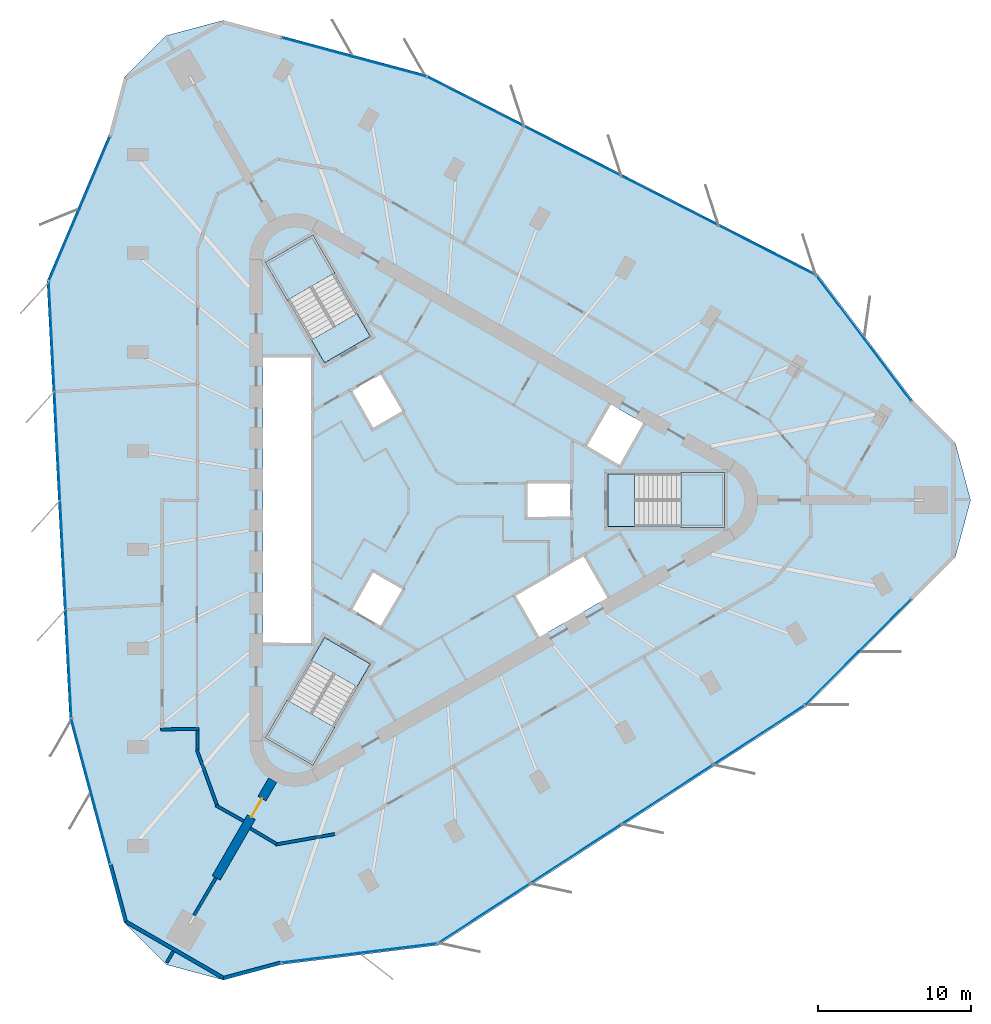
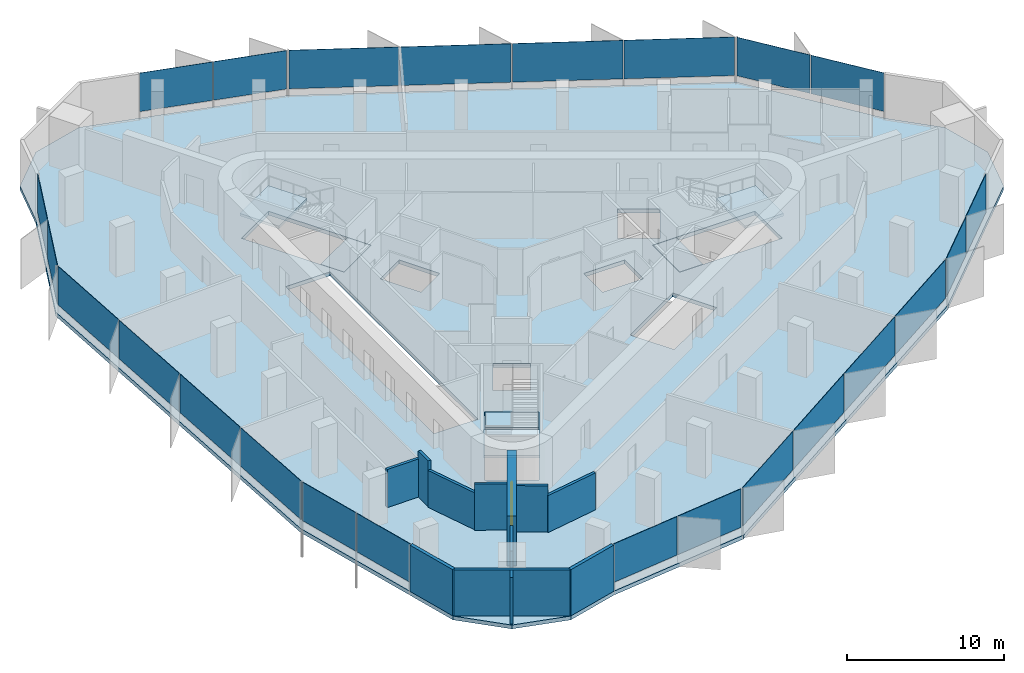
# One storey, part 6 of 12: 24 plates, 12 walls, 7 slabs, 1 door, 1 opening, 12 elements without a shape of their own.
"""IFC4 building model written with IfcOpenShell, lengths in metres."""

from ifc_helpers import new_model, si_unit, direction, frame, frame_2d, origin, origin_2d, place, context, subcontext, project, spatial, polyline, rectangle, outline, extrude, material, layer, layer_set, type_object, element, fill, aggregate, save


model = new_model("IFC4")

# Units and contexts
model_context = context("Model", 3, precision=1e-05, world=origin(), true_north=direction((0.0, 1.0)))
body_context = subcontext(model_context, "Body", "Model", "MODEL_VIEW")
ifc_project = project(units=[si_unit("LENGTHUNIT", "METRE"), si_unit("AREAUNIT", "SQUARE_METRE"), si_unit("VOLUMEUNIT", "CUBIC_METRE"), si_unit("PLANEANGLEUNIT", "RADIAN"), si_unit("MASSUNIT", "GRAM", prefix="KILO")], contexts=[model_context])

# Site, building, storey
site_placement = place(None, origin())
site = spatial("IfcSite", under=ifc_project, at=site_placement, CompositionType="ELEMENT")
building_placement = place(site_placement, origin())
building = spatial("IfcBuilding", under=site, at=building_placement, Name="Tanit Gate Tower", CompositionType="ELEMENT")
storey_placement = place(building_placement, frame((0.0, 0.0, 357.199951171875)))
storey = spatial("IfcBuildingStorey", under=building, at=storey_placement, Name="L81", CompositionType="ELEMENT", Elevation=357.199951171875)

# Slab
ifc_material_1 = material(Name="Concrete C35/45", Category="concrete")
ifc_layer_1 = layer(ifc_material_1, 0.300048828125)
ifc_layer_set_1 = layer_set([ifc_layer_1], Name="FLOOR SLAB 300 C35/45")
slab_type_1 = type_object("IfcSlabType", Name="FLOOR SLAB 300 C35/45", PredefinedType="FLOOR", material=ifc_layer_set_1)
slab_1_placement = place(storey_placement, frame((0.0, 0.0, -0.300048828125)))
element("IfcSlab", 1, at=slab_1_placement, inside=storey, type_object=slab_type_1, Name="FLOOR SLAB L81", PredefinedType="FLOOR", context=body_context, shape_type="SweptSolid", body=[
    extrude(outline(polyline([(31.331298828125, 6.5126953125), (34.083984375, 3.760009765625), (35.091552734375, 0.0), (34.083984375, -3.760009765625), (31.331298828125, -6.5126953125), (24.337890625, -13.501708984375), (0.267822265625, -29.116943359375), (-10.025390625, -30.39013671875), (-13.78564453125, -31.397705078125), (-17.545654296875, -30.39013671875), (-20.29833984375, -27.637451171875), (-21.305908203125, -23.87744140625), (-23.86181640625, -14.326416015625), (-25.349853515625, 14.326416015625), (-21.305908203125, 23.87744140625), (-20.29833984375, 27.637451171875), (-17.545654296875, 30.39013671875), (-13.78564453125, 31.397705078125), (-10.025390625, 30.39013671875), (-0.476318359375, 27.828125), (25.08203125, 14.790283203125), (31.331298828125, 6.5126953125)]), holes=[polyline([(11.3701171875, 1.72998046875), (18.929931640625, 1.72998046875), (18.929931640625, -1.72998046875), (11.3701171875, -1.72998046875), (11.3701171875, 1.72998046875)]), polyline([(12.158935546875, 2.159912109375), (9.82080078125, 3.510009765625), (11.44580078125, 6.324462890625), (13.783935546875, 4.974609375), (12.158935546875, 2.159912109375)]), polyline([(11.44580078125, -6.324462890625), (6.76904296875, -9.0244140625), (5.14404296875, -6.2099609375), (9.82080078125, -3.510009765625), (11.44580078125, -6.324462890625)]), polyline([(6.0, 1.199951171875), (9.0, 1.199951171875), (9.0, -1.199951171875), (6.0, -1.199951171875), (6.0, 1.199951171875)]), polyline([(-4.039306640625, 4.59619140625), (-5.539306640625, 7.194091796875), (-3.460693359375, 8.394287109375), (-1.960693359375, 5.796142578125), (-4.039306640625, 4.59619140625)]), polyline([(-1.960693359375, -5.796142578125), (-3.460693359375, -8.394287109375), (-5.539306640625, -7.194091796875), (-4.039306640625, -4.59619140625), (-1.960693359375, -5.796142578125)]), polyline([(-7.18310546875, 8.981689453125), (-10.963134765625, 15.52880859375), (-7.966796875, 17.2587890625), (-4.186767578125, 10.711669921875), (-7.18310546875, 8.981689453125)]), polyline([(-4.186767578125, -10.711669921875), (-7.966796875, -17.2587890625), (-10.963134765625, -15.52880859375), (-7.18310546875, -8.981689453125), (-4.186767578125, -10.711669921875)]), polyline([(-11.199951171875, -9.449951171875), (-11.199951171875, 9.449951171875), (-7.949951171875, 9.449951171875), (-7.949951171875, -9.449951171875), (-11.199951171875, -9.449951171875)])]), origin(), (0.0, 0.0, 1.0), 0.300048828125),
])

# Curtain wall, plates
ifc_material_2 = material(Name="Aluminium bronze anodised and glass", Category="aluminium")
curtain_wall_type = type_object("IfcCurtainWallType", Name="Curtain wall typical high", PredefinedType="NOTDEFINED", material=ifc_material_2)
curtain_wall_1_placement = place(storey_placement, origin())
curtain_wall_1 = element("IfcCurtainWall", 2, at=curtain_wall_1_placement, inside=storey, type_object=curtain_wall_type, Name="Curtain wall L81 NE1", PredefinedType="NOTDEFINED")
ifc_material_3 = material(Name="Glass tinted", Category="glass")
ifc_layer_2 = layer(ifc_material_3, 0.028076171875)
ifc_layer_set_2 = layer_set([ifc_layer_2], Name="Glass panel 28 typical high")
plate_type = type_object("IfcPlateType", Name="Glass panel 28 typical high", PredefinedType="CURTAIN_PANEL", material=ifc_layer_set_2)
plate_1_placement = place(storey_placement, frame((29.669189453125, 8.515380859375, 0.60009765625), z_axis=(0.0, 0.0, 1.0), x_axis=(-0.602530764365, 0.79809565717, 0.0)))
plate_1 = element("IfcPlate", 3, at=plate_1_placement, type_object=plate_type, Name="Glass panel L81 NE1.1", PredefinedType="CURTAIN_PANEL", context=body_context, shape_type="SweptSolid", body=[
    extrude(rectangle(XDim=5.056396484375, YDim=0.028076171875, at=origin_2d()), origin(), (0.0, 0.0, 1.0), 3.0),
])
plate_2_placement = place(storey_placement, frame((26.57421875, 12.614501953125, 0.60009765625), z_axis=(0.0, 0.0, 1.0), x_axis=(-0.602530764365, 0.79809565717, 0.0)))
plate_2 = element("IfcPlate", 4, at=plate_2_placement, type_object=plate_type, Name="Glass panel L81 NE1.2", PredefinedType="CURTAIN_PANEL", context=body_context, shape_type="SweptSolid", body=[
    extrude(rectangle(XDim=5.056396484375, YDim=0.028076171875, at=origin_2d()), origin(), (0.0, 0.0, 1.0), 3.0),
])
aggregate(curtain_wall_1, [plate_1, plate_2])

curtain_wall_2_placement = place(storey_placement, origin())
curtain_wall_2 = element("IfcCurtainWall", 5, at=curtain_wall_2_placement, inside=storey, type_object=curtain_wall_type, Name="Curtain wall L81 NE2", PredefinedType="NOTDEFINED")
plate_3_placement = place(storey_placement, frame((21.785888671875, 16.337158203125, 0.60009765625), z_axis=(0.0, 0.0, 1.0), x_axis=(-0.890792250432, 0.454410790552, 0.0)))
plate_3 = element("IfcPlate", 6, at=plate_3_placement, type_object=plate_type, Name="Glass panel L81 NE2.1", PredefinedType="CURTAIN_PANEL", context=body_context, shape_type="SweptSolid", body=[
    extrude(rectangle(XDim=7.062744140625, YDim=0.028076171875, at=origin_2d()), origin(), (0.0, 0.0, 1.0), 3.0),
])
plate_4_placement = place(storey_placement, frame((15.423095703125, 19.5830078125, 0.60009765625), z_axis=(0.0, 0.0, 1.0), x_axis=(-0.890792250432, 0.454410790552, 0.0)))
plate_4 = element("IfcPlate", 7, at=plate_4_placement, type_object=plate_type, Name="Glass panel L81 NE2.2", PredefinedType="CURTAIN_PANEL", context=body_context, shape_type="SweptSolid", body=[
    extrude(rectangle(XDim=7.062744140625, YDim=0.028076171875, at=origin_2d()), origin(), (0.0, 0.0, 1.0), 3.0),
])
plate_5_placement = place(storey_placement, frame((9.060302734375, 22.82861328125, 0.60009765625), z_axis=(0.0, 0.0, 1.0), x_axis=(-0.890792250432, 0.454410790552, 0.0)))
plate_5 = element("IfcPlate", 8, at=plate_5_placement, type_object=plate_type, Name="Glass panel L81 NE2.3", PredefinedType="CURTAIN_PANEL", context=body_context, shape_type="SweptSolid", body=[
    extrude(rectangle(XDim=7.062744140625, YDim=0.028076171875, at=origin_2d()), origin(), (0.0, 0.0, 1.0), 3.0),
])
plate_6_placement = place(storey_placement, frame((2.697509765625, 26.074462890625, 0.60009765625), z_axis=(0.0, 0.0, 1.0), x_axis=(-0.890792250432, 0.454410790552, 0.0)))
plate_6 = element("IfcPlate", 9, at=plate_6_placement, type_object=plate_type, Name="Glass panel L81 NE2.4", PredefinedType="CURTAIN_PANEL", context=body_context, shape_type="SweptSolid", body=[
    extrude(rectangle(XDim=7.062744140625, YDim=0.028076171875, at=origin_2d()), origin(), (0.0, 0.0, 1.0), 3.0),
])
aggregate(curtain_wall_2, [plate_3, plate_4, plate_5, plate_6])

curtain_wall_3_placement = place(storey_placement, origin())
curtain_wall_3 = element("IfcCurtainWall", 10, at=curtain_wall_3_placement, inside=storey, type_object=curtain_wall_type, Name="Curtain wall L81 NE3", PredefinedType="NOTDEFINED")
plate_7_placement = place(storey_placement, frame((-2.923095703125, 28.3603515625, 0.60009765625), z_axis=(0.0, 0.0, 1.0), x_axis=(-0.965844581241, 0.259122065613, 0.0)))
plate_7 = element("IfcPlate", 11, at=plate_7_placement, type_object=plate_type, Name="Glass panel L81 NE3.1", PredefinedType="CURTAIN_PANEL", context=body_context, shape_type="SweptSolid", body=[
    extrude(rectangle(XDim=4.817138671875, YDim=0.028076171875, at=origin_2d()), origin(), (0.0, 0.0, 1.0), 3.0),
])
plate_8_placement = place(storey_placement, frame((-7.653076171875, 29.62939453125, 0.60009765625), z_axis=(0.0, 0.0, 1.0), x_axis=(-0.965844581241, 0.259122065613, 0.0)))
plate_8 = element("IfcPlate", 12, at=plate_8_placement, type_object=plate_type, Name="Glass panel L81 NE3.2", PredefinedType="CURTAIN_PANEL", context=body_context, shape_type="SweptSolid", body=[
    extrude(rectangle(XDim=4.817138671875, YDim=0.028076171875, at=origin_2d()), origin(), (0.0, 0.0, 1.0), 3.0),
])
aggregate(curtain_wall_3, [plate_7, plate_8])

curtain_wall_4_placement = place(storey_placement, origin())
curtain_wall_4 = element("IfcCurtainWall", 13, at=curtain_wall_4_placement, inside=storey, type_object=curtain_wall_type, Name="Curtain wall L81 W1", PredefinedType="NOTDEFINED")
plate_9_placement = place(storey_placement, frame((-22.208984375, 21.4365234375, 0.60009765625), z_axis=(0.0, 0.0, 1.0), x_axis=(-0.389905731577, -0.920854777087, 0.0)))
plate_9 = element("IfcPlate", 14, at=plate_9_placement, type_object=plate_type, Name="Glass panel L81 W1.1", PredefinedType="CURTAIN_PANEL", context=body_context, shape_type="SweptSolid", body=[
    extrude(rectangle(XDim=5.056396484375, YDim=0.028076171875, at=origin_2d()), origin(), (0.0, 0.0, 1.0), 3.0),
])
plate_10_placement = place(storey_placement, frame((-24.211669921875, 16.706787109375, 0.60009765625), z_axis=(0.0, 0.0, 1.0), x_axis=(-0.389905731577, -0.920854777087, 0.0)))
plate_10 = element("IfcPlate", 15, at=plate_10_placement, type_object=plate_type, Name="Glass panel L81 W1.2", PredefinedType="CURTAIN_PANEL", context=body_context, shape_type="SweptSolid", body=[
    extrude(rectangle(XDim=5.056396484375, YDim=0.028076171875, at=origin_2d()), origin(), (0.0, 0.0, 1.0), 3.0),
])
aggregate(curtain_wall_4, [plate_9, plate_10])

curtain_wall_5_placement = place(storey_placement, origin())
curtain_wall_5 = element("IfcCurtainWall", 16, at=curtain_wall_5_placement, inside=storey, type_object=curtain_wall_type, Name="Curtain wall L81 W2", PredefinedType="NOTDEFINED")
plate_11_placement = place(storey_placement, frame((-25.041259765625, 10.698486328125, 0.60009765625), z_axis=(0.0, 0.0, 1.0), x_axis=(0.051864836844, -0.998654113645, 0.0)))
plate_11 = element("IfcPlate", 17, at=plate_11_placement, type_object=plate_type, Name="Glass panel L81 W2.1", PredefinedType="CURTAIN_PANEL", context=body_context, shape_type="SweptSolid", body=[
    extrude(rectangle(XDim=7.062744140625, YDim=0.028076171875, at=origin_2d()), origin(), (0.0, 0.0, 1.0), 3.0),
])
plate_12_placement = place(storey_placement, frame((-24.6708984375, 3.5654296875, 0.60009765625), z_axis=(0.0, 0.0, 1.0), x_axis=(0.051864836844, -0.998654113645, 0.0)))
plate_12 = element("IfcPlate", 18, at=plate_12_placement, type_object=plate_type, Name="Glass panel L81 W2.2", PredefinedType="CURTAIN_PANEL", context=body_context, shape_type="SweptSolid", body=[
    extrude(rectangle(XDim=7.062744140625, YDim=0.028076171875, at=origin_2d()), origin(), (0.0, 0.0, 1.0), 3.0),
])
plate_13_placement = place(storey_placement, frame((-24.30029296875, -3.56787109375, 0.60009765625), z_axis=(0.0, 0.0, 1.0), x_axis=(0.051864836844, -0.998654113645, 0.0)))
plate_13 = element("IfcPlate", 19, at=plate_13_placement, type_object=plate_type, Name="Glass panel L81 W2.3", PredefinedType="CURTAIN_PANEL", context=body_context, shape_type="SweptSolid", body=[
    extrude(rectangle(XDim=7.062744140625, YDim=0.028076171875, at=origin_2d()), origin(), (0.0, 0.0, 1.0), 3.0),
])
plate_14_placement = place(storey_placement, frame((-23.929931640625, -10.700927734375, 0.60009765625), z_axis=(0.0, 0.0, 1.0), x_axis=(0.051864836844, -0.998654113645, 0.0)))
plate_14 = element("IfcPlate", 20, at=plate_14_placement, type_object=plate_type, Name="Glass panel L81 W2.4", PredefinedType="CURTAIN_PANEL", context=body_context, shape_type="SweptSolid", body=[
    extrude(rectangle(XDim=7.062744140625, YDim=0.028076171875, at=origin_2d()), origin(), (0.0, 0.0, 1.0), 3.0),
])
aggregate(curtain_wall_5, [plate_11, plate_12, plate_13, plate_14])

curtain_wall_6_placement = place(storey_placement, origin())
curtain_wall_6 = element("IfcCurtainWall", 21, at=curtain_wall_6_placement, inside=storey, type_object=curtain_wall_type, Name="Curtain wall L81 W3", PredefinedType="NOTDEFINED")
plate_15_placement = place(storey_placement, frame((-23.099365234375, -16.711669921875, 0.60009765625), z_axis=(0.0, 0.0, 1.0), x_axis=(0.258515999119, -0.966006976269, 0.0)))
plate_15 = element("IfcPlate", 22, at=plate_15_placement, type_object=plate_type, Name="Glass panel L81 W3.1", PredefinedType="CURTAIN_PANEL", context=body_context, shape_type="SweptSolid", body=[
    extrude(rectangle(XDim=4.817138671875, YDim=0.028076171875, at=origin_2d()), origin(), (0.0, 0.0, 1.0), 3.0),
])
plate_16_placement = place(storey_placement, frame((-21.833251953125, -21.4423828125, 0.60009765625), z_axis=(0.0, 0.0, 1.0), x_axis=(0.258515999119, -0.966006976269, 0.0)))
plate_16 = element("IfcPlate", 23, at=plate_16_placement, type_object=plate_type, Name="Glass panel L81 W3.2", PredefinedType="CURTAIN_PANEL", context=body_context, shape_type="SweptSolid", body=[
    extrude(rectangle(XDim=4.817138671875, YDim=0.028076171875, at=origin_2d()), origin(), (0.0, 0.0, 1.0), 3.0),
])
aggregate(curtain_wall_6, [plate_15, plate_16])

curtain_wall_7_placement = place(storey_placement, origin())
curtain_wall_7 = element("IfcCurtainWall", 24, at=curtain_wall_7_placement, inside=storey, type_object=curtain_wall_type, Name="Curtain wall L81 SE1", PredefinedType="NOTDEFINED")
plate_17_placement = place(storey_placement, frame((-7.460205078125, -29.951904296875, 0.60009765625), z_axis=(0.0, 0.0, 1.0), x_axis=(0.992436495942, 0.122759119916, 0.0)))
plate_17 = element("IfcPlate", 25, at=plate_17_placement, type_object=plate_type, Name="Glass panel L81 SE1.1", PredefinedType="CURTAIN_PANEL", context=body_context, shape_type="SweptSolid", body=[
    extrude(rectangle(XDim=5.056396484375, YDim=0.028076171875, at=origin_2d()), origin(), (0.0, 0.0, 1.0), 3.0),
])
plate_18_placement = place(storey_placement, frame((-2.362548828125, -29.3212890625, 0.60009765625), z_axis=(0.0, 0.0, 1.0), x_axis=(0.992436495942, 0.122759119916, 0.0)))
plate_18 = element("IfcPlate", 26, at=plate_18_placement, type_object=plate_type, Name="Glass panel L81 SE1.2", PredefinedType="CURTAIN_PANEL", context=body_context, shape_type="SweptSolid", body=[
    extrude(rectangle(XDim=5.056396484375, YDim=0.028076171875, at=origin_2d()), origin(), (0.0, 0.0, 1.0), 3.0),
])
aggregate(curtain_wall_7, [plate_17, plate_18])

curtain_wall_8_placement = place(storey_placement, origin())
curtain_wall_8 = element("IfcCurtainWall", 27, at=curtain_wall_8_placement, inside=storey, type_object=curtain_wall_type, Name="Curtain wall L81 SE2", PredefinedType="NOTDEFINED")
plate_19_placement = place(storey_placement, frame((3.25537109375, -27.03564453125, 0.60009765625), z_axis=(0.0, 0.0, 1.0), x_axis=(0.838927413588, 0.544243323092, 0.0)))
plate_19 = element("IfcPlate", 28, at=plate_19_placement, type_object=plate_type, Name="Glass panel L81 SE2.1", PredefinedType="CURTAIN_PANEL", context=body_context, shape_type="SweptSolid", body=[
    extrude(rectangle(XDim=7.062744140625, YDim=0.028076171875, at=origin_2d()), origin(), (0.0, 0.0, 1.0), 3.0),
])
plate_20_placement = place(storey_placement, frame((9.247802734375, -23.148193359375, 0.60009765625), z_axis=(0.0, 0.0, 1.0), x_axis=(0.838927413588, 0.544243323092, 0.0)))
plate_20 = element("IfcPlate", 29, at=plate_20_placement, type_object=plate_type, Name="Glass panel L81 SE2.2", PredefinedType="CURTAIN_PANEL", context=body_context, shape_type="SweptSolid", body=[
    extrude(rectangle(XDim=7.062744140625, YDim=0.028076171875, at=origin_2d()), origin(), (0.0, 0.0, 1.0), 3.0),
])
plate_21_placement = place(storey_placement, frame((15.239990234375, -19.2607421875, 0.60009765625), z_axis=(0.0, 0.0, 1.0), x_axis=(0.838927413588, 0.544243323092, 0.0)))
plate_21 = element("IfcPlate", 30, at=plate_21_placement, type_object=plate_type, Name="Glass panel L81 SE2.3", PredefinedType="CURTAIN_PANEL", context=body_context, shape_type="SweptSolid", body=[
    extrude(rectangle(XDim=7.062744140625, YDim=0.028076171875, at=origin_2d()), origin(), (0.0, 0.0, 1.0), 3.0),
])
plate_22_placement = place(storey_placement, frame((21.232421875, -15.373291015625, 0.60009765625), z_axis=(0.0, 0.0, 1.0), x_axis=(0.838927413588, 0.544243323092, 0.0)))
plate_22 = element("IfcPlate", 31, at=plate_22_placement, type_object=plate_type, Name="Glass panel L81 SE2.4", PredefinedType="CURTAIN_PANEL", context=body_context, shape_type="SweptSolid", body=[
    extrude(rectangle(XDim=7.062744140625, YDim=0.028076171875, at=origin_2d()), origin(), (0.0, 0.0, 1.0), 3.0),
])
aggregate(curtain_wall_8, [plate_19, plate_20, plate_21, plate_22])

curtain_wall_9_placement = place(storey_placement, origin())
curtain_wall_9 = element("IfcCurtainWall", 32, at=curtain_wall_9_placement, inside=storey, type_object=curtain_wall_type, Name="Curtain wall L81 SE3", PredefinedType="NOTDEFINED")
plate_23_placement = place(storey_placement, frame((26.022216796875, -11.648681640625, 0.60009765625), z_axis=(0.0, 0.0, 1.0), x_axis=(0.707328582122, 0.706884910656, 0.0)))
plate_23 = element("IfcPlate", 33, at=plate_23_placement, type_object=plate_type, Name="Glass panel L81 SE3.1", PredefinedType="CURTAIN_PANEL", context=body_context, shape_type="SweptSolid", body=[
    extrude(rectangle(XDim=4.817138671875, YDim=0.028076171875, at=origin_2d()), origin(), (0.0, 0.0, 1.0), 3.0),
])
plate_24_placement = place(storey_placement, frame((29.486328125, -8.18701171875, 0.60009765625), z_axis=(0.0, 0.0, 1.0), x_axis=(0.707328582122, 0.706884910656, 0.0)))
plate_24 = element("IfcPlate", 34, at=plate_24_placement, type_object=plate_type, Name="Glass panel L81 SE3.2", PredefinedType="CURTAIN_PANEL", context=body_context, shape_type="SweptSolid", body=[
    extrude(rectangle(XDim=4.817138671875, YDim=0.028076171875, at=origin_2d()), origin(), (0.0, 0.0, 1.0), 3.0),
])
aggregate(curtain_wall_9, [plate_23, plate_24])

# Stair, slab
ifc_material_4 = material(Name="Concrete C40/50", Category="concrete")
stair_type = type_object("IfcStairType", Name="INT-STAIR-EXIT", PredefinedType="HALF_TURN_STAIR", material=ifc_material_4)
stair_1_placement = place(storey_placement, origin())
stair_1 = element("IfcStair", 35, at=stair_1_placement, inside=storey, type_object=stair_type, Name="L81 STAIR S1", PredefinedType="HALF_TURN_STAIR")
ifc_material_5 = material(Name="Concrete C40/50", Category="concrete")
ifc_layer_3 = layer(ifc_material_5, 0.199951171875)
ifc_layer_set_3 = layer_set([ifc_layer_3], Name="INT-STAIR-LANDING")
slab_type_2 = type_object("IfcSlabType", Name="INT-STAIR-LANDING", PredefinedType="LANDING", material=ifc_layer_set_3)
slab_2_placement = place(storey_placement, frame((0.0, 0.0, 1.75)))
slab_2 = element("IfcSlab", 36, at=slab_2_placement, type_object=slab_type_2, Name="S1 landing 1", PredefinedType="LANDING", context=body_context, shape_type="SweptSolid", body=[
    extrude(outline(polyline([(16.135986328125, -1.800048828125), (19.0, -1.800048828125), (19.0, 1.800048828125), (16.135986328125, 1.800048828125), (16.135986328125, -1.800048828125)])), origin(), (0.0, 0.0, 1.0), 0.199951171875),
])
aggregate(stair_1, [slab_2])

# Slab
slab_3_placement = place(storey_placement, frame((0.0, 0.0, -0.199951171875)))
element("IfcSlab", 37, at=slab_3_placement, inside=storey, type_object=slab_type_2, Name="S1 floor landing", PredefinedType="LANDING", context=body_context, shape_type="SweptSolid", body=[
    extrude(outline(polyline([(11.3798828125, -1.719970703125), (13.10498046875, -1.719970703125), (13.10498046875, 1.719970703125), (11.3798828125, 1.719970703125), (11.3798828125, -1.719970703125)])), origin(), (0.0, 0.0, 1.0), 0.199951171875),
])

# Stair, slab
stair_2_placement = place(storey_placement, origin())
stair_2 = element("IfcStair", 38, at=stair_2_placement, inside=storey, type_object=stair_type, Name="L81 STAIR S2", PredefinedType="HALF_TURN_STAIR")
slab_4_placement = place(storey_placement, frame((0.0, 0.0, 1.75)))
slab_4 = element("IfcSlab", 39, at=slab_4_placement, type_object=slab_type_2, Name="S2 landing 1", PredefinedType="LANDING", context=body_context, shape_type="SweptSolid", body=[
    extrude(outline(polyline([(-6.5078125, 14.871826171875), (-7.941162109375, 17.3544921875), (-11.058837890625, 15.554443359375), (-9.62548828125, 13.07177734375), (-6.5078125, 14.871826171875)])), origin(), (0.0, 0.0, 1.0), 0.199951171875),
])
aggregate(stair_2, [slab_4])

# Slab
slab_5_placement = place(storey_placement, frame((0.0, 0.0, -0.199951171875)))
element("IfcSlab", 40, at=slab_5_placement, inside=storey, type_object=slab_type_2, Name="S2 floor landing", PredefinedType="LANDING", context=body_context, shape_type="SweptSolid", body=[
    extrude(outline(polyline([(-4.200439453125, 10.71533203125), (-5.0625, 12.20849609375), (-8.04150390625, 10.48828125), (-7.179443359375, 8.995361328125), (-4.200439453125, 10.71533203125)])), origin(), (0.0, 0.0, 1.0), 0.199951171875),
])

# Stair, slab
stair_3_placement = place(storey_placement, origin())
stair_3 = element("IfcStair", 41, at=stair_3_placement, inside=storey, type_object=stair_type, Name="L81 STAIR S3", PredefinedType="HALF_TURN_STAIR")
slab_6_placement = place(storey_placement, frame((0.0, 0.0, 1.75)))
slab_6 = element("IfcSlab", 42, at=slab_6_placement, type_object=slab_type_2, Name="S3 landing 1", PredefinedType="LANDING", context=body_context, shape_type="SweptSolid", body=[
    extrude(outline(polyline([(-9.626953125, -13.07421875), (-11.058837890625, -15.554443359375), (-7.941162109375, -17.3544921875), (-6.509033203125, -14.874267578125), (-9.626953125, -13.07421875)])), origin(), (0.0, 0.0, 1.0), 0.199951171875),
])
aggregate(stair_3, [slab_6])

# Slab
slab_7_placement = place(storey_placement, frame((0.0, 0.0, -0.199951171875)))
element("IfcSlab", 43, at=slab_7_placement, inside=storey, type_object=slab_type_2, Name="S3 floor landing", PredefinedType="LANDING", context=body_context, shape_type="SweptSolid", body=[
    extrude(outline(polyline([(-7.179443359375, -8.995361328125), (-8.0419921875, -10.4892578125), (-5.06298828125, -12.209228515625), (-4.200439453125, -10.71533203125), (-7.179443359375, -8.995361328125)])), origin(), (0.0, 0.0, 1.0), 0.199951171875),
])

# Wall, opening, door
ifc_material_6 = material(Name="Concrete C40/50", Category="concrete")
ifc_layer_4 = layer(ifc_material_6, 0.60009765625)
ifc_layer_set_4 = layer_set([ifc_layer_4], Name="BUTTRESS FIN 600 C40/50")
wall_type_1 = type_object("IfcWallType", Name="BUTTRESS FIN 600 C40/50", PredefinedType="SHEAR", material=ifc_layer_set_4)
wall_1_placement = place(storey_placement, frame((-10.574951171875, -18.31640625, 0.0), z_axis=(0.0, 0.0, 1.0), x_axis=(-0.500009454961, -0.866019944892, 0.0)))
wall_1 = element("IfcWall", 44, at=wall_1_placement, inside=storey, type_object=wall_type_1, Name="BUTTRESS FIN", PredefinedType="SHEAR", context=body_context, shape_type="SweptSolid", body=[
    extrude(rectangle(XDim=7.387939453125, YDim=0.60009765625, at=frame_2d((3.69384765625, 0.0))), origin(), (0.0, 0.0, 1.0), 3.900146484375),
])
opening_placement = place(wall_1_placement, frame((1.39990234375, 0.0, 0.0)))
opening = element("IfcOpeningElement", 45, at=opening_placement, cuts=wall_1, Name="Opening P14-S23-F-SW-1", PredefinedType="OPENING", context=body_context, shape_type="SweptSolid", body=[
    extrude(rectangle(XDim=1.39990234375, YDim=2.39990234375, at=frame_2d((0.699951171875, 1.199951171875))), frame((0.0, 0.31005859375, 0.0), z_axis=(0.0, -1.0, 0.0), x_axis=(1.0, 0.0, 0.0)), (0.0, 0.0, 1.0), 0.6201171875),
])
ifc_material_7 = material(Name="Timber door leaf", Category="wood")
door_type = type_object("IfcDoorType", Name="INT-DOOR-FIN-PAIR-1400", OperationType="NOTDEFINED", PredefinedType="NOTDEFINED", material=ifc_material_7)
door_placement = place(opening_placement, origin())
door = element("IfcDoor", 46, at=door_placement, inside=storey, type_object=door_type, Name="Door P14-S23-F-SW-1", OperationType="DOUBLE_DOOR_SINGLE_SWING", OverallHeight=2.39990234375, OverallWidth=1.39990234375, PredefinedType="NOTDEFINED", context=body_context, shape_type="SweptSolid", body=[
    extrude(rectangle(XDim=1.39990234375, YDim=2.39990234375, at=frame_2d((0.699951171875, 1.199951171875))), frame((0.0, 0.02490234375, 0.0), z_axis=(0.0, -1.0, 0.0), x_axis=(1.0, 0.0, 0.0)), (0.0, 0.0, 1.0), 0.050048828125),
])
fill(opening, door)

# Walls
ifc_material_8 = material(Name="Concrete C30/37 with bronze anodised aluminium cladding", Category="concrete")
ifc_layer_5 = layer(ifc_material_8, 0.239990234375)
ifc_layer_set_5 = layer_set([ifc_layer_5], Name="Facade wall bronze clad 240")
wall_type_2 = type_object("IfcWallType", Name="Facade wall bronze clad 240", PredefinedType="SOLIDWALL", material=ifc_layer_set_5)
wall_2_placement = place(storey_placement, frame((-21.18994140625, -23.846435546875, 0.0), z_axis=(0.0, 0.0, 1.0), x_axis=(0.258839344225, -0.965920386927, 0.0)))
element("IfcWall", 47, at=wall_2_placement, inside=storey, type_object=wall_type_2, Name="Bronze-clad facade wall L81 SW.arc1", PredefinedType="SOLIDWALL", context=body_context, shape_type="SweptSolid", body=[
    extrude(rectangle(XDim=3.860595703125, YDim=0.239990234375, at=frame_2d((1.93017578125, 0.0))), origin(), (0.0, 0.0, 1.0), 3.60009765625),
])
wall_3_placement = place(storey_placement, frame((-20.190673828125, -27.575439453125, 0.0), z_axis=(0.0, 0.0, 1.0), x_axis=(0.866022320763, -0.500005339912, 0.0)))
element("IfcWall", 48, at=wall_3_placement, inside=storey, type_object=wall_type_2, Name="Bronze-clad facade wall L81 SW.arc2", PredefinedType="SOLIDWALL", context=body_context, shape_type="SweptSolid", body=[
    extrude(rectangle(XDim=7.39599609375, YDim=0.239990234375, at=frame_2d((3.697998046875, 0.0))), origin(), (0.0, 0.0, 1.0), 3.60009765625),
])
wall_4_placement = place(storey_placement, frame((-13.78564453125, -31.2734375, 0.0), z_axis=(0.0, 0.0, 1.0), x_axis=(0.965917910961, 0.258848583704, 0.0)))
element("IfcWall", 49, at=wall_4_placement, inside=storey, type_object=wall_type_2, Name="Bronze-clad facade wall L81 SW.arc3", PredefinedType="SOLIDWALL", context=body_context, shape_type="SweptSolid", body=[
    extrude(rectangle(XDim=3.868896484375, YDim=0.239990234375, at=frame_2d((1.9345703125, 0.0))), origin(), (0.0, 0.0, 1.0), 3.60009765625),
])
ifc_material_9 = material(Name="Fire-rated gypsum board partition")
ifc_layer_6 = layer(ifc_material_9, 0.199951171875)
ifc_layer_set_6 = layer_set([ifc_layer_6], Name="INT-WALL-COMPARTMENT")
wall_type_3 = type_object("IfcWallType", Name="INT-WALL-COMPARTMENT", PredefinedType="PARTITIONING", material=ifc_layer_set_6)
wall_5_placement = place(storey_placement, frame((-17.89990234375, -15.001220703125, 0.0), z_axis=(0.0, 0.0, 1.0), x_axis=(0.999915662945, 0.012987185857, 0.0)))
element("IfcWall", 50, at=wall_5_placement, inside=storey, type_object=wall_type_3, Name="Wall Compartment W084", PredefinedType="PARTITIONING", context=body_context, shape_type="SweptSolid", body=[
    extrude(rectangle(XDim=2.500244140625, YDim=0.199951171875, at=frame_2d((1.25, 0.0))), origin(), (0.0, 0.0, 1.0), 2.969970703125),
])
wall_6_placement = place(storey_placement, frame((-14.293212890625, -19.9775390625, 0.0), z_axis=(0.0, 0.0, 1.0), x_axis=(0.872510000486, -0.48859625362, 0.0)))
element("IfcWall", 51, at=wall_6_placement, inside=storey, type_object=wall_type_3, Name="Wall Compartment W088", PredefinedType="PARTITIONING", context=body_context, shape_type="SweptSolid", body=[
    extrude(rectangle(XDim=2.089599609375, YDim=0.199951171875, at=frame_2d((1.044921875, 0.0))), origin(), (0.0, 0.0, 1.0), 3.60009765625),
])
wall_7_placement = place(storey_placement, frame((-15.5341796875, -16.346435546875, 0.0), z_axis=(0.0, 0.0, 1.0), x_axis=(0.342001008711, -0.939699584996, 0.0)))
element("IfcWall", 52, at=wall_7_placement, inside=storey, type_object=wall_type_3, Name="Wall Compartment W089", PredefinedType="PARTITIONING", context=body_context, shape_type="SweptSolid", body=[
    extrude(rectangle(XDim=3.87548828125, YDim=0.199951171875, at=frame_2d((1.937744140625, 0.0))), origin(), (0.0, 0.0, 1.0), 2.880126953125),
])
wall_8_placement = place(storey_placement, frame((-15.5, -15.070068359375, 0.0), z_axis=(0.0, 0.0, 1.0), x_axis=(0.0, -1.0, 0.0)))
element("IfcWall", 53, at=wall_8_placement, inside=storey, type_object=wall_type_3, Name="Wall Compartment W090", PredefinedType="PARTITIONING", context=body_context, shape_type="SweptSolid", body=[
    extrude(rectangle(XDim=1.2705078125, YDim=0.199951171875, at=frame_2d((0.63525390625, 0.0))), origin(), (0.0, 0.0, 1.0), 3.60009765625),
])
wall_9_placement = place(storey_placement, frame((-10.405517578125, -22.53759765625, 0.0), z_axis=(0.0, 0.0, 1.0), x_axis=(0.98480284819, 0.173675991999, 0.0)))
element("IfcWall", 54, at=wall_9_placement, inside=storey, type_object=wall_type_3, Name="Wall Compartment W108", PredefinedType="PARTITIONING", context=body_context, shape_type="SweptSolid", body=[
    extrude(rectangle(XDim=3.94873046875, YDim=0.199951171875, at=frame_2d((1.974365234375, 0.0))), origin(), (0.0, 0.0, 1.0), 2.880126953125),
])
wall_10_placement = place(storey_placement, frame((-12.05029296875, -21.4716796875, 0.0), z_axis=(0.0, 0.0, 1.0), x_axis=(0.859577966481, -0.511004617924, 0.0)))
element("IfcWall", 55, at=wall_10_placement, inside=storey, type_object=wall_type_3, Name="Wall Compartment W109", PredefinedType="PARTITIONING", context=body_context, shape_type="SweptSolid", body=[
    extrude(rectangle(XDim=1.99755859375, YDim=0.199951171875, at=frame_2d((0.998779296875, 0.0))), origin(), (0.0, 0.0, 1.0), 3.60009765625),
])
wall_11_placement = place(storey_placement, frame((-17.07421875, -29.513427734375, 0.0), z_axis=(0.0, 0.0, 1.0), x_axis=(-0.500065409566, -0.86598763626, 0.0)))
element("IfcWall", 56, at=wall_11_placement, inside=storey, type_object=wall_type_3, Name="Wall Compartment W111", PredefinedType="PARTITIONING", context=body_context, shape_type="SweptSolid", body=[
    extrude(rectangle(XDim=0.86279296875, YDim=0.199951171875, at=frame_2d((0.431396484375, 0.0))), origin(), (0.0, 0.0, 1.0), 3.60009765625),
])
wall_12_placement = place(storey_placement, frame((-14.283935546875, -24.705810546875, 0.0), z_axis=(0.0, 0.0, 1.0), x_axis=(-0.503849746753, -0.863791313164, 0.0)))
element("IfcWall", 57, at=wall_12_placement, inside=storey, type_object=wall_type_3, Name="Wall Compartment W112", PredefinedType="PARTITIONING", context=body_context, shape_type="SweptSolid", body=[
    extrude(rectangle(XDim=2.853515625, YDim=0.199951171875, at=frame_2d((1.4267578125, 0.0))), origin(), (0.0, 0.0, 1.0), 3.170166015625),
])

save(model, "model.ifc")
